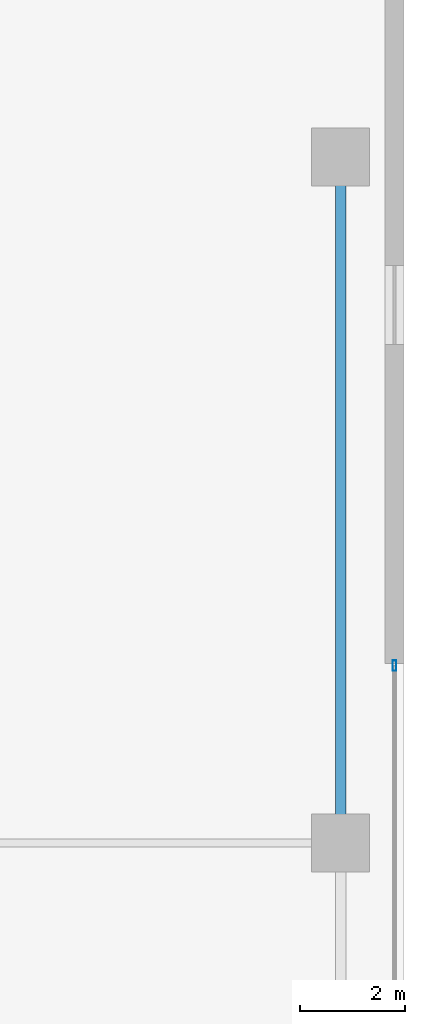
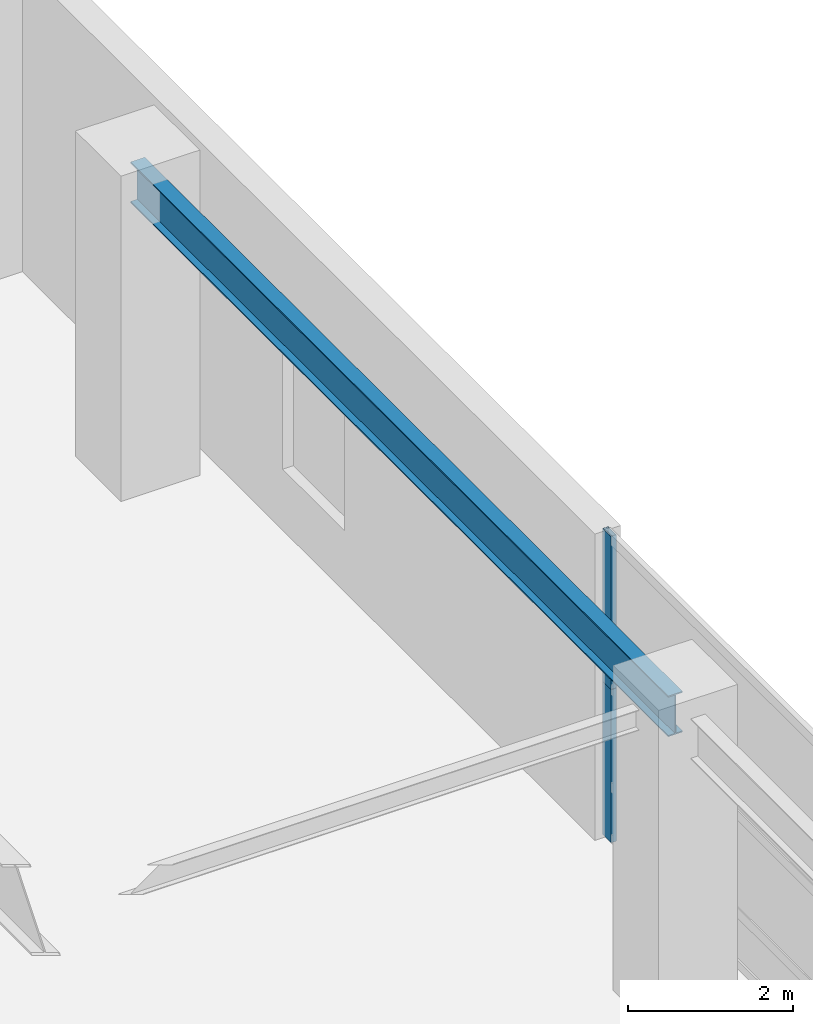
# One storey, part 31 of 39: 2 members, 1 beam, 1 element without a shape of its own.
"""IFC4 building model written with IfcOpenShell, lengths in metres."""

import ifcopenshell
import ifcopenshell.guid

model = None  # the IFC model being written
_history = None  # IfcOwnerHistory: only IFC2X3 demands one
_inside = {}  # id of a spatial element -> (the spatial element, [elements in it])
_under = {}  # id of a project, library or spatial element -> (it, [spatial elements below it])
_declared = {}  # id of a project -> (the project, [libraries it declares])
_typed = {}  # id of a type object -> (the type object, [elements of that type])
_made_of = {}  # id of a material, layer set ... -> (it, [elements and type objects made of it])


def new_model(schema):
    """Start an empty IFC model of exactly this schema.

    Asked for "IFC4X3", IfcOpenShell would pick the latest addendum, in which some entities
    have other attributes; the version numbers below select the first issue.
    IFC2X3 requires an IfcOwnerHistory on every rooted entity: one is made here for all.
    """
    global model, _history
    if schema == "IFC4X3":
        model = ifcopenshell.file(schema_version=(4, 3, 0, 0))
    else:
        model = ifcopenshell.file(schema=schema)
    _inside.clear()
    _under.clear()
    _declared.clear()
    _typed.clear()
    _made_of.clear()
    _history = None
    if model.schema == "IFC2X3":
        org = make("IfcOrganization", Name="unknown")
        user = make(
            "IfcPersonAndOrganization",
            ThePerson=make("IfcPerson", FamilyName="unknown"),
            TheOrganization=org,
        )
        app = make(
            "IfcApplication",
            ApplicationDeveloper=org,
            Version="unknown",
            ApplicationFullName="unknown",
            ApplicationIdentifier="unknown",
        )
        _history = make(
            "IfcOwnerHistory",
            OwningUser=user,
            OwningApplication=app,
            ChangeAction="ADDED",
            CreationDate=0,
        )
    return model


def make(cls, **values):
    """One entity of the class cls with the attributes given. An attribute that is None is left unset."""
    return model.create_entity(
        cls, **{name: value for name, value in values.items() if value is not None}
    )


def rooted(cls, **values):
    """An entity with a GlobalId (a new one), such as an element, a storey or a relation."""
    return make(cls, GlobalId=ifcopenshell.guid.new(), OwnerHistory=_history, **values)


def si_unit(unit_type, name, prefix=None):
    """IfcSIUnit, for example si_unit("LENGTHUNIT", "METRE", prefix="MILLI")."""
    return make("IfcSIUnit", UnitType=unit_type, Prefix=prefix, Name=name)


def assignment(units):
    """IfcUnitAssignment: the units of a project."""
    return None if units is None else make("IfcUnitAssignment", Units=units)


def point(xyz):
    """IfcCartesianPoint."""
    return None if xyz is None else make("IfcCartesianPoint", Coordinates=xyz)


def direction(xyz):
    """IfcDirection."""
    return None if xyz is None else make("IfcDirection", DirectionRatios=xyz)


def frame(location, z_axis=None, x_axis=None):
    """IfcAxis2Placement3D, a coordinate frame: its origin and axes. An axis left out is left unset."""
    return make(
        "IfcAxis2Placement3D",
        Location=point(location),
        Axis=direction(z_axis),
        RefDirection=direction(x_axis),
    )


def frame_2d(location, x_axis=None):
    """IfcAxis2Placement2D, a coordinate frame in the plane: its origin and x axis."""
    return make(
        "IfcAxis2Placement2D", Location=point(location), RefDirection=direction(x_axis)
    )


def origin():
    """The frame at (0, 0, 0) with its axes left unset."""
    return frame((0.0, 0.0, 0.0))


def origin_2d():
    """The frame at (0, 0) in the plane with its x axis left unset."""
    return frame_2d((0.0, 0.0))


def place(relative_to, where):
    """IfcLocalPlacement: puts the frame where relative to a parent placement (None: the world)."""
    return make(
        "IfcLocalPlacement", PlacementRelTo=relative_to, RelativePlacement=where
    )


def context(
    kind, dimensions, precision=None, world=None, true_north=None, identifier=None
):
    """IfcGeometricRepresentationContext, for example the 3D "Model" context."""
    return make(
        "IfcGeometricRepresentationContext",
        ContextIdentifier=identifier,
        ContextType=kind,
        CoordinateSpaceDimension=dimensions,
        Precision=precision,
        WorldCoordinateSystem=world,
        TrueNorth=true_north,
    )


def subcontext(parent, identifier, kind, view, scale=None):
    """IfcGeometricRepresentationSubContext, for example "Body" below "Model"."""
    return make(
        "IfcGeometricRepresentationSubContext",
        ContextIdentifier=identifier,
        ContextType=kind,
        ParentContext=parent,
        TargetScale=scale,
        TargetView=view,
    )


def project(units=None, contexts=None):
    """IfcProject with its units and contexts."""
    return rooted(
        "IfcProject",
        Name="project",
        RepresentationContexts=contexts,
        UnitsInContext=assignment(units),
    )


def spatial(cls, under=None, at=None, **own):
    """A site, building, storey or space (cls), placed at a placement, below another one or the project."""
    s = rooted(cls, ObjectPlacement=at, **own)
    if under is not None:
        _under.setdefault(under.id(), (under, []))[1].append(s)
    return s


def profile(cls, at=None, kind="AREA", **sizes):
    """A parametric profile (cls). Its sizes go by their IFC names, for example OverallWidth=200.0."""
    return make(cls, ProfileType=kind, Position=at, **sizes)


def hollow_rectangle(**sizes):
    """IfcRectangleHollowProfileDef."""
    return profile("IfcRectangleHollowProfileDef", **sizes)


def i_section(**sizes):
    """IfcIShapeProfileDef."""
    return profile("IfcIShapeProfileDef", **sizes)


def extrude(swept, where, along, depth):
    """IfcExtrudedAreaSolid: the profile swept, set in the frame where, extruded along a direction by depth."""
    return make(
        "IfcExtrudedAreaSolid",
        SweptArea=swept,
        Position=where,
        ExtrudedDirection=direction(along),
        Depth=depth,
    )


def shape(context_of_items, identifier, shape_type, items):
    """IfcShapeRepresentation: the items that make up one representation, for example the "Body"."""
    return make(
        "IfcShapeRepresentation",
        ContextOfItems=context_of_items,
        RepresentationIdentifier=identifier,
        RepresentationType=shape_type,
        Items=items,
    )


def source(mapping_origin, context_of_items, identifier, shape_type, items):
    """IfcRepresentationMap: a shape defined once, which mapped items show again and again."""
    return make(
        "IfcRepresentationMap",
        MappingOrigin=mapping_origin,
        MappedRepresentation=shape(context_of_items, identifier, shape_type, items),
    )


def transform(
    local_origin,
    x_axis=None,
    y_axis=None,
    z_axis=None,
    scale=None,
    scale2=None,
    scale3=None,
    uniform=True,
):
    """IfcCartesianTransformationOperator3D, or its non-uniform kind. x_axis, y_axis, z_axis: its Axis1, 2, 3."""
    if uniform:
        return make(
            "IfcCartesianTransformationOperator3D",
            Axis1=direction(x_axis),
            Axis2=direction(y_axis),
            LocalOrigin=point(local_origin),
            Scale=scale,
            Axis3=direction(z_axis),
        )
    return make(
        "IfcCartesianTransformationOperator3DnonUniform",
        Axis1=direction(x_axis),
        Axis2=direction(y_axis),
        LocalOrigin=point(local_origin),
        Scale=scale,
        Axis3=direction(z_axis),
        Scale2=scale2,
        Scale3=scale3,
    )


def mapped(mapping_source, mapping_target):
    """IfcMappedItem: shows the shape of a source again, moved by a transform."""
    return make(
        "IfcMappedItem", MappingSource=mapping_source, MappingTarget=mapping_target
    )


def material(Name=None, Category=None):
    """IfcMaterial."""
    return make("IfcMaterial", Name=Name, Category=Category)


def layer(
    of_material, thickness, ventilated=None, Name=None, Category=None, Priority=None
):
    """IfcMaterialLayer: one layer of a wall or slab, of a material (None: an air gap)."""
    return make(
        "IfcMaterialLayer",
        Material=of_material,
        LayerThickness=thickness,
        IsVentilated=ventilated,
        Name=Name,
        Category=Category,
        Priority=Priority,
    )


def layer_set(layers, Name=None):
    """IfcMaterialLayerSet."""
    return make("IfcMaterialLayerSet", MaterialLayers=layers, LayerSetName=Name)


def material_profile(
    of_material, cross_section, Name=None, Category=None, Priority=None
):
    """IfcMaterialProfile: a cross section and its material."""
    return make(
        "IfcMaterialProfile",
        Name=Name,
        Material=of_material,
        Profile=cross_section,
        Priority=Priority,
        Category=Category,
    )


def profile_set(profiles, Name=None, composite=None):
    """IfcMaterialProfileSet."""
    return make(
        "IfcMaterialProfileSet",
        Name=Name,
        MaterialProfiles=profiles,
        CompositeProfile=composite,
    )


def made_of(thing, what):
    """Note that an element or type object is made of a material, layer set ...; save() writes the relation."""
    if what is not None:
        _made_of.setdefault(what.id(), (what, []))[1].append(thing)
    return thing


def type_object(cls, material=None, **own):
    """A type object (cls), such as IfcWallType, which elements share."""
    return made_of(rooted(cls, **own), material)


def element(
    cls,
    number,
    at=None,
    inside=None,
    cuts=None,
    type_object=None,
    material=None,
    context=None,
    identifier="Body",
    shape_type=None,
    held_by="IfcProductDefinitionShape",
    body=None,
    shapes=None,
    **own,
):
    """One element of the class cls, such as IfcWall. Its Tag is "e" and its number.

    at: its placement. inside: the storey or other place that contains it. cuts: it is an
    opening in that element (IfcRelVoidsElement). A single representation is given by context,
    identifier, shape_type and body (its items); several are given by shapes. held_by: the class
    of the entity that holds the representations. save() writes the other relations.
    """
    e = rooted(cls, Tag="e%d" % number, ObjectPlacement=at, **own)
    if body is not None:
        shapes = [shape(context, identifier, shape_type, body)]
    if shapes is not None:
        e.Representation = make(held_by, Representations=shapes)
    if inside is not None:
        _inside.setdefault(inside.id(), (inside, []))[1].append(e)
    if cuts is not None:
        rooted(
            "IfcRelVoidsElement", RelatingBuildingElement=cuts, RelatedOpeningElement=e
        )
    if type_object is not None:
        _typed.setdefault(type_object.id(), (type_object, []))[1].append(e)
    return made_of(e, material)


def aggregate(whole, parts):
    """IfcRelAggregates: a whole, such as a stair, and the parts it consists of."""
    return rooted("IfcRelAggregates", RelatingObject=whole, RelatedObjects=parts)


def save(model, path):
    """Write the relations noted so far, then the file.

    IfcRelAggregates (storeys below a building ...), IfcRelContainedInSpatialStructure (elements
    in a storey), IfcRelDefinesByType, IfcRelAssociatesMaterial and IfcRelDeclares: one each for
    every whole, place, type object, material and project.
    """
    for whole, parts in _under.values():
        aggregate(whole, parts)
    for where, things in _inside.values():
        rooted(
            "IfcRelContainedInSpatialStructure",
            RelatedElements=things,
            RelatingStructure=where,
        )
    for kind, things in _typed.values():
        rooted("IfcRelDefinesByType", RelatedObjects=things, RelatingType=kind)
    for what, things in _made_of.values():
        rooted("IfcRelAssociatesMaterial", RelatedObjects=things, RelatingMaterial=what)
    for by, libraries in _declared.values():
        rooted("IfcRelDeclares", RelatingContext=by, RelatedDefinitions=libraries)
    model.write(path)


model = new_model("IFC4")

# Units and contexts
model_context = context("Model", 3, precision=1e-05, world=origin(), true_north=direction((0.0, 1.0)))
body_context = subcontext(model_context, "Body", "Model", "MODEL_VIEW")
ifc_project = project(units=[si_unit("LENGTHUNIT", "METRE"), si_unit("AREAUNIT", "SQUARE_METRE"), si_unit("VOLUMEUNIT", "CUBIC_METRE"), si_unit("PLANEANGLEUNIT", "RADIAN"), si_unit("MASSUNIT", "GRAM", prefix="KILO"), si_unit("THERMODYNAMICTEMPERATUREUNIT", "KELVIN"), si_unit("POWERUNIT", "WATT")], contexts=[model_context])

# Site, building, storey
site_placement = place(None, origin())
site = spatial("IfcSite", under=ifc_project, at=site_placement, CompositionType="ELEMENT")
building_placement = place(site_placement, origin())
building = spatial("IfcBuilding", under=site, at=building_placement, Name="Yuzanri Waterfront Tower", CompositionType="ELEMENT")
storey_placement = place(building_placement, frame((0.0, 0.0, 15.0)))
storey = spatial("IfcBuildingStorey", under=building, at=storey_placement, Name="L04", CompositionType="ELEMENT", Elevation=15.0)

# Beam
ifc_material_1 = material(Name="Steel Q355B", Category="steel")
ifc_material_profile_1 = material_profile(ifc_material_1, i_section(OverallWidth=0.199951171875, OverallDepth=0.60009765625, WebThickness=0.010986328125, FlangeThickness=0.01708984375, at=origin_2d()), Name="HN 600x200x11x17")
ifc_profile_set_1 = profile_set([ifc_material_profile_1], Name="Steel Q355B")
beam_type = type_object("IfcBeamType", Name="Perimeter Spandrel Q355B HN 600x200", PredefinedType="SPANDREL", material=ifc_profile_set_1)
shared_shape_1 = source(origin(), body_context, "Body", "SweptSolid", [
    extrude(i_section(OverallWidth=0.199951171875, OverallDepth=0.60009765625, WebThickness=0.010986328125, FlangeThickness=0.01708984375, at=origin_2d()), origin(), (0.0, 0.0, 1.0), 13.0),
])
beam_placement = place(storey_placement, frame((70.800048828125, 32.199951171875, 4.219970703125), z_axis=(0.0, 1.0, 0.0), x_axis=(-1.0, 0.0, 0.0)))
element("IfcBeam", 1, at=beam_placement, inside=storey, type_object=beam_type, Name="L04 East Podium Spandrel 3", PredefinedType="SPANDREL", context=body_context, shape_type="MappedRepresentation", body=[
    mapped(shared_shape_1, transform((0.0, 0.0, 0.0), scale=1.0)),
])

# Curtain wall, members
ifc_material_2 = material(Name="Anodized Architectural Bronze", Category="metal")
ifc_layer = layer(ifc_material_2, 0.159912109375)
ifc_layer_set = layer_set([ifc_layer], Name="Anodized Architectural Bronze")
curtain_wall_type = type_object("IfcCurtainWallType", Name="Anodized Bronze Podium Waterfront Double-Height Unitized Curtain Wall 8400", PredefinedType="NOTDEFINED", material=ifc_layer_set)
curtain_wall_placement = place(storey_placement, origin())
curtain_wall = element("IfcCurtainWall", 2, at=curtain_wall_placement, inside=storey, type_object=curtain_wall_type, Name="L04 Curtain Wall CW-L04-E", PredefinedType="NOTDEFINED")
ifc_material_3 = material(Name="Anodized Architectural Bronze", Category="metal")
ifc_material_profile_2 = material_profile(ifc_material_3, hollow_rectangle(XDim=0.074951171875, YDim=0.199951171875, WallThickness=0.00390625, at=origin_2d()), Name="CWM 75x200")
ifc_profile_set_2 = profile_set([ifc_material_profile_2], Name="Anodized Architectural Bronze")
member_type = type_object("IfcMemberType", Name="Anodized Bronze Primary Curtain-Wall Mullion 75x200", PredefinedType="MULLION", material=ifc_profile_set_2)
shared_shape_2 = source(origin(), body_context, "Body", "SweptSolid", [
    extrude(hollow_rectangle(XDim=0.074951171875, YDim=0.199951171875, WallThickness=0.00390625, at=origin_2d()), origin(), (0.0, 0.0, 1.0), 2.258056640625),
])
member_1_placement = place(storey_placement, frame((71.820068359375, 35.56005859375, 0.0), z_axis=(0.0, 0.0, 1.0), x_axis=(1.0, 0.0, 0.0)))
member_1 = element("IfcMember", 3, at=member_1_placement, type_object=member_type, Name="CW-L04-E Lower Mullion 02", PredefinedType="MULLION", context=body_context, shape_type="MappedRepresentation", body=[
    mapped(shared_shape_2, transform((0.0, 0.0, 0.0), scale=1.0)),
])
member_2_placement = place(storey_placement, frame((71.820068359375, 35.56005859375, 2.261962890625), z_axis=(0.0, 0.0, 1.0), x_axis=(1.0, 0.0, 0.0)))
member_2 = element("IfcMember", 4, at=member_2_placement, type_object=member_type, Name="CW-L04-E Upper Mullion 02", PredefinedType="MULLION", context=body_context, shape_type="MappedRepresentation", body=[
    mapped(shared_shape_2, transform((0.0, 0.0, 0.0), scale=1.0)),
])
aggregate(curtain_wall, [member_1, member_2])

save(model, "model.ifc")
